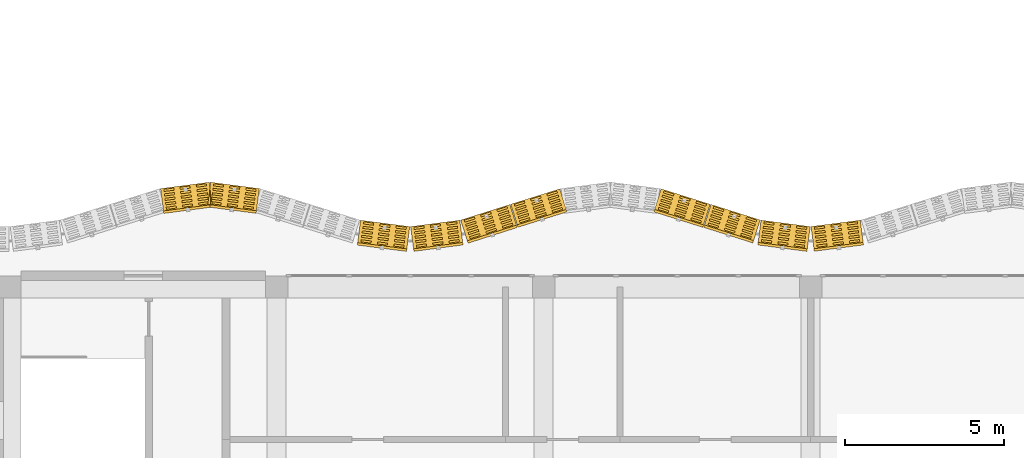
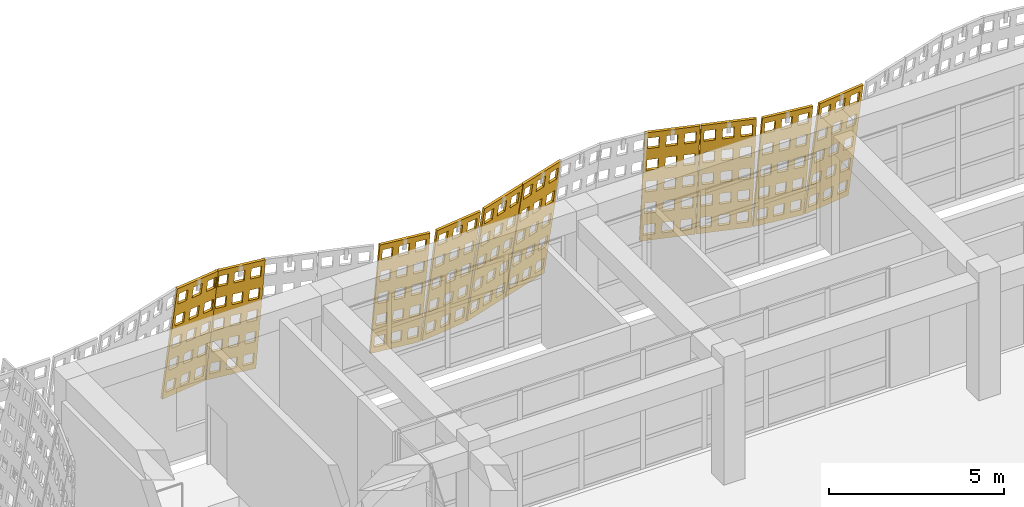
# One storey, part 81 of 85: 10 coverings.
"""IFC4 building model written with IfcOpenShell, lengths in metres."""

from ifc_helpers import new_model, si_unit, direction, frame, origin, place, context, subcontext, project, spatial, polyline, outline, extrude, material, layer, layer_set, type_object, element, save


model = new_model("IFC4")

# Units and contexts
model_context = context("Model", 3, precision=1e-05, world=origin(), true_north=direction((0.0, 1.0)))
body_context = subcontext(model_context, "Body", "Model", "MODEL_VIEW")
ifc_project = project(units=[si_unit("LENGTHUNIT", "METRE"), si_unit("AREAUNIT", "SQUARE_METRE"), si_unit("VOLUMEUNIT", "CUBIC_METRE"), si_unit("PLANEANGLEUNIT", "RADIAN"), si_unit("MASSUNIT", "GRAM", prefix="KILO")], contexts=[model_context])

# Site, building, storey
site_placement = place(None, origin())
site = spatial("IfcSite", under=ifc_project, at=site_placement, CompositionType="ELEMENT")
building_placement = place(site_placement, origin())
building = spatial("IfcBuilding", under=site, at=building_placement, Name="Rain Tree Exposition and Congress Centre", CompositionType="ELEMENT")
storey_placement = place(building_placement, frame((0.0, 0.0, 15.0)))
storey = spatial("IfcBuildingStorey", under=building, at=storey_placement, Name="L03", CompositionType="ELEMENT", Elevation=15.0)

# Coverings
ifc_material = material(Name="Perforated terracotta", Category="masonry")
ifc_layer = layer(ifc_material, 0.080078125)
ifc_layer_set = layer_set([ifc_layer], Name="Perforated terracotta")
covering_type = type_object("IfcCoveringType", Name="Terracotta screen 80", PredefinedType="CLADDING", material=ifc_layer_set)
covering_1_placement = place(storey_placement, frame((26.775390625, 52.503173828125, 0.01318359375), z_axis=(0.124968640969, -0.978413018317, -0.164592844203), x_axis=(0.991941518713, 0.126696580272, 0.0)))
element("IfcCovering", 1, at=covering_1_placement, inside=storey, type_object=covering_type, Name="wing/screen/L03/084", PredefinedType="CLADDING", context=body_context, shape_type="SweptSolid", body=[
    extrude(outline(polyline([(-1.5732421875, 0.0), (-1.5732421875, 4.295166015625), (-0.014892578125, 4.295166015625), (-0.014892578125, 0.0), (-1.5732421875, 0.0)]), holes=[polyline([(-0.11376953125, 0.2216796875), (-0.11376953125, 0.63720703125), (-0.435791015625, 0.63720703125), (-0.435791015625, 0.2216796875), (-0.11376953125, 0.2216796875)]), polyline([(-0.11376953125, 1.080810546875), (-0.11376953125, 1.496337890625), (-0.435791015625, 1.496337890625), (-0.435791015625, 1.080810546875), (-0.11376953125, 1.080810546875)]), polyline([(-0.11376953125, 1.939697265625), (-0.11376953125, 2.35546875), (-0.435791015625, 2.35546875), (-0.435791015625, 1.939697265625), (-0.11376953125, 1.939697265625)]), polyline([(-0.11376953125, 2.798583984375), (-0.11376953125, 3.21435546875), (-0.435791015625, 3.21435546875), (-0.435791015625, 2.798583984375), (-0.11376953125, 2.798583984375)]), polyline([(-0.11376953125, 3.65771484375), (-0.11376953125, 4.073486328125), (-0.435791015625, 4.073486328125), (-0.435791015625, 3.65771484375), (-0.11376953125, 3.65771484375)]), polyline([(-0.633056640625, 0.2216796875), (-0.633056640625, 0.63720703125), (-0.955078125, 0.63720703125), (-0.955078125, 0.2216796875), (-0.633056640625, 0.2216796875)]), polyline([(-0.633056640625, 1.080810546875), (-0.633056640625, 1.496337890625), (-0.955078125, 1.496337890625), (-0.955078125, 1.080810546875), (-0.633056640625, 1.080810546875)]), polyline([(-0.633056640625, 1.939697265625), (-0.633056640625, 2.35546875), (-0.955078125, 2.35546875), (-0.955078125, 1.939697265625), (-0.633056640625, 1.939697265625)]), polyline([(-0.633056640625, 2.798583984375), (-0.633056640625, 3.21435546875), (-0.955078125, 3.21435546875), (-0.955078125, 2.798583984375), (-0.633056640625, 2.798583984375)]), polyline([(-0.633056640625, 3.65771484375), (-0.633056640625, 4.073486328125), (-0.955078125, 4.073486328125), (-0.955078125, 3.65771484375), (-0.633056640625, 3.65771484375)]), polyline([(-1.152587890625, 0.2216796875), (-1.152587890625, 0.63720703125), (-1.474609375, 0.63720703125), (-1.474609375, 0.2216796875), (-1.152587890625, 0.2216796875)]), polyline([(-1.152587890625, 1.080810546875), (-1.152587890625, 1.496337890625), (-1.474609375, 1.496337890625), (-1.474609375, 1.080810546875), (-1.152587890625, 1.080810546875)]), polyline([(-1.152587890625, 1.939697265625), (-1.152587890625, 2.35546875), (-1.474609375, 2.35546875), (-1.474609375, 1.939697265625), (-1.152587890625, 1.939697265625)]), polyline([(-1.152587890625, 2.798583984375), (-1.152587890625, 3.21435546875), (-1.474609375, 3.21435546875), (-1.474609375, 2.798583984375), (-1.152587890625, 2.798583984375)]), polyline([(-1.152587890625, 3.65771484375), (-1.152587890625, 4.073486328125), (-1.474609375, 4.073486328125), (-1.474609375, 3.65771484375), (-1.152587890625, 3.65771484375)])]), origin(), (0.0, 0.0, 1.0), 0.080078125),
])
covering_2_placement = place(storey_placement, frame((25.19970703125, 52.298095703125, 0.01318359375), z_axis=(-0.128349774249, -0.9779030419, -0.165021138321), x_axis=(0.991496427865, -0.130133906157, 0.0)))
element("IfcCovering", 2, at=covering_2_placement, inside=storey, type_object=covering_type, Name="wing/screen/L03/085", PredefinedType="CLADDING", context=body_context, shape_type="SweptSolid", body=[
    extrude(outline(polyline([(-1.5732421875, 0.0), (-1.5732421875, 4.295166015625), (-0.014892578125, 4.295166015625), (-0.014892578125, 0.0), (-1.5732421875, 0.0)]), holes=[polyline([(-0.11376953125, 0.2216796875), (-0.11376953125, 0.63720703125), (-0.435791015625, 0.63720703125), (-0.435791015625, 0.2216796875), (-0.11376953125, 0.2216796875)]), polyline([(-0.11376953125, 1.080810546875), (-0.11376953125, 1.496337890625), (-0.435791015625, 1.496337890625), (-0.435791015625, 1.080810546875), (-0.11376953125, 1.080810546875)]), polyline([(-0.11376953125, 1.939697265625), (-0.11376953125, 2.35546875), (-0.435791015625, 2.35546875), (-0.435791015625, 1.939697265625), (-0.11376953125, 1.939697265625)]), polyline([(-0.11376953125, 2.798583984375), (-0.11376953125, 3.21435546875), (-0.435791015625, 3.21435546875), (-0.435791015625, 2.798583984375), (-0.11376953125, 2.798583984375)]), polyline([(-0.11376953125, 3.65771484375), (-0.11376953125, 4.073486328125), (-0.435791015625, 4.073486328125), (-0.435791015625, 3.65771484375), (-0.11376953125, 3.65771484375)]), polyline([(-0.633056640625, 0.2216796875), (-0.633056640625, 0.63720703125), (-0.955078125, 0.63720703125), (-0.955078125, 0.2216796875), (-0.633056640625, 0.2216796875)]), polyline([(-0.633056640625, 1.080810546875), (-0.633056640625, 1.496337890625), (-0.955078125, 1.496337890625), (-0.955078125, 1.080810546875), (-0.633056640625, 1.080810546875)]), polyline([(-0.633056640625, 1.939697265625), (-0.633056640625, 2.35546875), (-0.955078125, 2.35546875), (-0.955078125, 1.939697265625), (-0.633056640625, 1.939697265625)]), polyline([(-0.633056640625, 2.798583984375), (-0.633056640625, 3.21435546875), (-0.955078125, 3.21435546875), (-0.955078125, 2.798583984375), (-0.633056640625, 2.798583984375)]), polyline([(-0.633056640625, 3.65771484375), (-0.633056640625, 4.073486328125), (-0.955078125, 4.073486328125), (-0.955078125, 3.65771484375), (-0.633056640625, 3.65771484375)]), polyline([(-1.152587890625, 0.2216796875), (-1.152587890625, 0.63720703125), (-1.474609375, 0.63720703125), (-1.474609375, 0.2216796875), (-1.152587890625, 0.2216796875)]), polyline([(-1.152587890625, 1.080810546875), (-1.152587890625, 1.496337890625), (-1.474609375, 1.496337890625), (-1.474609375, 1.080810546875), (-1.152587890625, 1.080810546875)]), polyline([(-1.152587890625, 1.939697265625), (-1.152587890625, 2.35546875), (-1.474609375, 2.35546875), (-1.474609375, 1.939697265625), (-1.152587890625, 1.939697265625)]), polyline([(-1.152587890625, 2.798583984375), (-1.152587890625, 3.21435546875), (-1.474609375, 3.21435546875), (-1.474609375, 2.798583984375), (-1.152587890625, 2.798583984375)]), polyline([(-1.152587890625, 3.65771484375), (-1.152587890625, 4.073486328125), (-1.474609375, 4.073486328125), (-1.474609375, 3.65771484375), (-1.152587890625, 3.65771484375)])]), origin(), (0.0, 0.0, 1.0), 0.079833984375),
])
covering_3_placement = place(storey_placement, frame((23.62451171875, 52.50341796875, 0.0126953125), z_axis=(-0.298496232686, -0.941176896939, -0.158385756119), x_axis=(0.953208958144, -0.302312226207, 0.0)))
element("IfcCovering", 3, at=covering_3_placement, inside=storey, type_object=covering_type, Name="wing/screen/L03/086", PredefinedType="CLADDING", context=body_context, shape_type="SweptSolid", body=[
    extrude(outline(polyline([(-1.635986328125, 0.0), (-1.635986328125, 4.291259765625), (-0.014892578125, 4.291259765625), (-0.014892578125, 0.0), (-1.635986328125, 0.0)]), holes=[polyline([(-0.11767578125, 0.221435546875), (-0.11767578125, 0.63671875), (-0.45263671875, 0.63671875), (-0.45263671875, 0.221435546875), (-0.11767578125, 0.221435546875)]), polyline([(-0.11767578125, 1.07958984375), (-0.11767578125, 1.4951171875), (-0.45263671875, 1.4951171875), (-0.45263671875, 1.07958984375), (-0.11767578125, 1.07958984375)]), polyline([(-0.11767578125, 1.93798828125), (-0.11767578125, 2.353271484375), (-0.45263671875, 2.353271484375), (-0.45263671875, 1.93798828125), (-0.11767578125, 1.93798828125)]), polyline([(-0.11767578125, 2.796142578125), (-0.11767578125, 3.21142578125), (-0.45263671875, 3.21142578125), (-0.45263671875, 2.796142578125), (-0.11767578125, 2.796142578125)]), polyline([(-0.11767578125, 3.654541015625), (-0.11767578125, 4.06982421875), (-0.45263671875, 4.06982421875), (-0.45263671875, 3.654541015625), (-0.11767578125, 3.654541015625)]), polyline([(-0.657958984375, 0.221435546875), (-0.657958984375, 0.63671875), (-0.992919921875, 0.63671875), (-0.992919921875, 0.221435546875), (-0.657958984375, 0.221435546875)]), polyline([(-0.657958984375, 1.07958984375), (-0.657958984375, 1.4951171875), (-0.992919921875, 1.4951171875), (-0.992919921875, 1.07958984375), (-0.657958984375, 1.07958984375)]), polyline([(-0.657958984375, 1.93798828125), (-0.657958984375, 2.353271484375), (-0.992919921875, 2.353271484375), (-0.992919921875, 1.93798828125), (-0.657958984375, 1.93798828125)]), polyline([(-0.657958984375, 2.796142578125), (-0.657958984375, 3.21142578125), (-0.992919921875, 3.21142578125), (-0.992919921875, 2.796142578125), (-0.657958984375, 2.796142578125)]), polyline([(-0.657958984375, 3.654541015625), (-0.657958984375, 4.06982421875), (-0.992919921875, 4.06982421875), (-0.992919921875, 3.654541015625), (-0.657958984375, 3.654541015625)]), polyline([(-1.1982421875, 0.221435546875), (-1.1982421875, 0.63671875), (-1.533203125, 0.63671875), (-1.533203125, 0.221435546875), (-1.1982421875, 0.221435546875)]), polyline([(-1.1982421875, 1.07958984375), (-1.1982421875, 1.4951171875), (-1.533203125, 1.4951171875), (-1.533203125, 1.07958984375), (-1.1982421875, 1.07958984375)]), polyline([(-1.1982421875, 1.93798828125), (-1.1982421875, 2.353271484375), (-1.533203125, 2.353271484375), (-1.533203125, 1.93798828125), (-1.1982421875, 1.93798828125)]), polyline([(-1.1982421875, 2.796142578125), (-1.1982421875, 3.21142578125), (-1.533203125, 3.21142578125), (-1.533203125, 2.796142578125), (-1.1982421875, 2.796142578125)]), polyline([(-1.1982421875, 3.654541015625), (-1.1982421875, 4.06982421875), (-1.533203125, 4.06982421875), (-1.533203125, 3.654541015625), (-1.1982421875, 3.654541015625)])]), origin(), (0.0, 0.0, 1.0), 0.080078125),
])
covering_4_placement = place(storey_placement, frame((22.04931640625, 52.998291015625, 0.0126953125), z_axis=(-0.296569528658, -0.941684688936, -0.158985726703), x_axis=(0.953816392794, -0.300390227601, 0.0)))
element("IfcCovering", 4, at=covering_4_placement, inside=storey, type_object=covering_type, Name="wing/screen/L03/087", PredefinedType="CLADDING", context=body_context, shape_type="SweptSolid", body=[
    extrude(outline(polyline([(-1.62890625, 0.0), (-1.62890625, 4.291259765625), (-0.014892578125, 4.291259765625), (-0.014892578125, 0.0), (-1.62890625, 0.0)]), holes=[polyline([(-0.1171875, 0.221435546875), (-0.1171875, 0.63671875), (-0.45068359375, 0.63671875), (-0.45068359375, 0.221435546875), (-0.1171875, 0.221435546875)]), polyline([(-0.1171875, 1.07958984375), (-0.1171875, 1.4951171875), (-0.45068359375, 1.4951171875), (-0.45068359375, 1.07958984375), (-0.1171875, 1.07958984375)]), polyline([(-0.1171875, 1.93798828125), (-0.1171875, 2.353271484375), (-0.45068359375, 2.353271484375), (-0.45068359375, 1.93798828125), (-0.1171875, 1.93798828125)]), polyline([(-0.1171875, 2.796142578125), (-0.1171875, 3.21142578125), (-0.45068359375, 3.21142578125), (-0.45068359375, 2.796142578125), (-0.1171875, 2.796142578125)]), polyline([(-0.1171875, 3.654541015625), (-0.1171875, 4.06982421875), (-0.45068359375, 4.06982421875), (-0.45068359375, 3.654541015625), (-0.1171875, 3.654541015625)]), polyline([(-0.6552734375, 0.221435546875), (-0.6552734375, 0.63671875), (-0.98876953125, 0.63671875), (-0.98876953125, 0.221435546875), (-0.6552734375, 0.221435546875)]), polyline([(-0.6552734375, 1.07958984375), (-0.6552734375, 1.4951171875), (-0.98876953125, 1.4951171875), (-0.98876953125, 1.07958984375), (-0.6552734375, 1.07958984375)]), polyline([(-0.6552734375, 1.93798828125), (-0.6552734375, 2.353271484375), (-0.98876953125, 2.353271484375), (-0.98876953125, 1.93798828125), (-0.6552734375, 1.93798828125)]), polyline([(-0.6552734375, 2.796142578125), (-0.6552734375, 3.21142578125), (-0.98876953125, 3.21142578125), (-0.98876953125, 2.796142578125), (-0.6552734375, 2.796142578125)]), polyline([(-0.6552734375, 3.654541015625), (-0.6552734375, 4.06982421875), (-0.98876953125, 4.06982421875), (-0.98876953125, 3.654541015625), (-0.6552734375, 3.654541015625)]), polyline([(-1.193115234375, 0.221435546875), (-1.193115234375, 0.63671875), (-1.526611328125, 0.63671875), (-1.526611328125, 0.221435546875), (-1.193115234375, 0.221435546875)]), polyline([(-1.193115234375, 1.07958984375), (-1.193115234375, 1.4951171875), (-1.526611328125, 1.4951171875), (-1.526611328125, 1.07958984375), (-1.193115234375, 1.07958984375)]), polyline([(-1.193115234375, 1.93798828125), (-1.193115234375, 2.353271484375), (-1.526611328125, 2.353271484375), (-1.526611328125, 1.93798828125), (-1.193115234375, 1.93798828125)]), polyline([(-1.193115234375, 2.796142578125), (-1.193115234375, 3.21142578125), (-1.526611328125, 3.21142578125), (-1.526611328125, 2.796142578125), (-1.193115234375, 2.796142578125)]), polyline([(-1.193115234375, 3.654541015625), (-1.193115234375, 4.06982421875), (-1.526611328125, 4.06982421875), (-1.526611328125, 3.654541015625), (-1.193115234375, 3.654541015625)])]), origin(), (0.0, 0.0, 1.0), 0.079833984375),
])
covering_5_placement = place(storey_placement, frame((17.32568359375, 53.493408203125, 0.0126953125), z_axis=(0.295717964052, -0.942029390639, -0.158529217842), x_axis=(0.954094597562, 0.29950542383, 0.0)))
element("IfcCovering", 5, at=covering_5_placement, inside=storey, type_object=covering_type, Name="wing/screen/L03/090", PredefinedType="CLADDING", context=body_context, shape_type="SweptSolid", body=[
    extrude(outline(polyline([(-1.635986328125, 0.0), (-1.635986328125, 4.291259765625), (-0.02197265625, 4.291259765625), (-0.02197265625, 0.0), (-1.635986328125, 0.0)]), holes=[polyline([(-0.124267578125, 0.221435546875), (-0.124267578125, 0.63671875), (-0.457763671875, 0.63671875), (-0.457763671875, 0.221435546875), (-0.124267578125, 0.221435546875)]), polyline([(-0.124267578125, 1.07958984375), (-0.124267578125, 1.4951171875), (-0.457763671875, 1.4951171875), (-0.457763671875, 1.07958984375), (-0.124267578125, 1.07958984375)]), polyline([(-0.124267578125, 1.93798828125), (-0.124267578125, 2.353271484375), (-0.457763671875, 2.353271484375), (-0.457763671875, 1.93798828125), (-0.124267578125, 1.93798828125)]), polyline([(-0.124267578125, 2.796142578125), (-0.124267578125, 3.21142578125), (-0.457763671875, 3.21142578125), (-0.457763671875, 2.796142578125), (-0.124267578125, 2.796142578125)]), polyline([(-0.124267578125, 3.654541015625), (-0.124267578125, 4.06982421875), (-0.457763671875, 4.06982421875), (-0.457763671875, 3.654541015625), (-0.124267578125, 3.654541015625)]), polyline([(-0.662109375, 0.221435546875), (-0.662109375, 0.63671875), (-0.995849609375, 0.63671875), (-0.995849609375, 0.221435546875), (-0.662109375, 0.221435546875)]), polyline([(-0.662109375, 1.07958984375), (-0.662109375, 1.4951171875), (-0.995849609375, 1.4951171875), (-0.995849609375, 1.07958984375), (-0.662109375, 1.07958984375)]), polyline([(-0.662109375, 1.93798828125), (-0.662109375, 2.353271484375), (-0.995849609375, 2.353271484375), (-0.995849609375, 1.93798828125), (-0.662109375, 1.93798828125)]), polyline([(-0.662109375, 2.796142578125), (-0.662109375, 3.21142578125), (-0.995849609375, 3.21142578125), (-0.995849609375, 2.796142578125), (-0.662109375, 2.796142578125)]), polyline([(-0.662109375, 3.654541015625), (-0.662109375, 4.06982421875), (-0.995849609375, 4.06982421875), (-0.995849609375, 3.654541015625), (-0.662109375, 3.654541015625)]), polyline([(-1.2001953125, 0.221435546875), (-1.2001953125, 0.63671875), (-1.53369140625, 0.63671875), (-1.53369140625, 0.221435546875), (-1.2001953125, 0.221435546875)]), polyline([(-1.2001953125, 1.07958984375), (-1.2001953125, 1.4951171875), (-1.53369140625, 1.4951171875), (-1.53369140625, 1.07958984375), (-1.2001953125, 1.07958984375)]), polyline([(-1.2001953125, 1.93798828125), (-1.2001953125, 2.353271484375), (-1.53369140625, 2.353271484375), (-1.53369140625, 1.93798828125), (-1.2001953125, 1.93798828125)]), polyline([(-1.2001953125, 2.796142578125), (-1.2001953125, 3.21142578125), (-1.53369140625, 3.21142578125), (-1.53369140625, 2.796142578125), (-1.2001953125, 2.796142578125)]), polyline([(-1.2001953125, 3.654541015625), (-1.2001953125, 4.06982421875), (-1.53369140625, 4.06982421875), (-1.53369140625, 3.654541015625), (-1.2001953125, 3.654541015625)])]), origin(), (0.0, 0.0, 1.0), 0.080078125),
])
covering_6_placement = place(storey_placement, frame((15.75048828125, 52.998291015625, 0.0126953125), z_axis=(0.299354235996, -0.940827598844, -0.158841023181), x_axis=(0.952925780013, 0.303203657277, 0.0)))
element("IfcCovering", 6, at=covering_6_placement, inside=storey, type_object=covering_type, Name="wing/screen/L03/091", PredefinedType="CLADDING", context=body_context, shape_type="SweptSolid", body=[
    extrude(outline(polyline([(-1.635986328125, 0.0), (-1.635986328125, 4.291259765625), (-0.014892578125, 4.291259765625), (-0.014892578125, 0.0), (-1.635986328125, 0.0)]), holes=[polyline([(-0.11767578125, 0.221435546875), (-0.11767578125, 0.63671875), (-0.45263671875, 0.63671875), (-0.45263671875, 0.221435546875), (-0.11767578125, 0.221435546875)]), polyline([(-0.11767578125, 1.07958984375), (-0.11767578125, 1.4951171875), (-0.45263671875, 1.4951171875), (-0.45263671875, 1.07958984375), (-0.11767578125, 1.07958984375)]), polyline([(-0.11767578125, 1.93798828125), (-0.11767578125, 2.353271484375), (-0.45263671875, 2.353271484375), (-0.45263671875, 1.93798828125), (-0.11767578125, 1.93798828125)]), polyline([(-0.11767578125, 2.796142578125), (-0.11767578125, 3.21142578125), (-0.45263671875, 3.21142578125), (-0.45263671875, 2.796142578125), (-0.11767578125, 2.796142578125)]), polyline([(-0.11767578125, 3.654541015625), (-0.11767578125, 4.06982421875), (-0.45263671875, 4.06982421875), (-0.45263671875, 3.654541015625), (-0.11767578125, 3.654541015625)]), polyline([(-0.657958984375, 0.221435546875), (-0.657958984375, 0.63671875), (-0.992919921875, 0.63671875), (-0.992919921875, 0.221435546875), (-0.657958984375, 0.221435546875)]), polyline([(-0.657958984375, 1.07958984375), (-0.657958984375, 1.4951171875), (-0.992919921875, 1.4951171875), (-0.992919921875, 1.07958984375), (-0.657958984375, 1.07958984375)]), polyline([(-0.657958984375, 1.93798828125), (-0.657958984375, 2.353271484375), (-0.992919921875, 2.353271484375), (-0.992919921875, 1.93798828125), (-0.657958984375, 1.93798828125)]), polyline([(-0.657958984375, 2.796142578125), (-0.657958984375, 3.21142578125), (-0.992919921875, 3.21142578125), (-0.992919921875, 2.796142578125), (-0.657958984375, 2.796142578125)]), polyline([(-0.657958984375, 3.654541015625), (-0.657958984375, 4.06982421875), (-0.992919921875, 4.06982421875), (-0.992919921875, 3.654541015625), (-0.657958984375, 3.654541015625)]), polyline([(-1.1982421875, 0.221435546875), (-1.1982421875, 0.63671875), (-1.533203125, 0.63671875), (-1.533203125, 0.221435546875), (-1.1982421875, 0.221435546875)]), polyline([(-1.1982421875, 1.07958984375), (-1.1982421875, 1.4951171875), (-1.533203125, 1.4951171875), (-1.533203125, 1.07958984375), (-1.1982421875, 1.07958984375)]), polyline([(-1.1982421875, 1.93798828125), (-1.1982421875, 2.353271484375), (-1.533203125, 2.353271484375), (-1.533203125, 1.93798828125), (-1.1982421875, 1.93798828125)]), polyline([(-1.1982421875, 2.796142578125), (-1.1982421875, 3.21142578125), (-1.533203125, 3.21142578125), (-1.533203125, 2.796142578125), (-1.1982421875, 2.796142578125)]), polyline([(-1.1982421875, 3.654541015625), (-1.1982421875, 4.06982421875), (-1.533203125, 4.06982421875), (-1.533203125, 3.654541015625), (-1.1982421875, 3.654541015625)])]), origin(), (0.0, 0.0, 1.0), 0.079833984375),
])
covering_7_placement = place(storey_placement, frame((14.17529296875, 52.503173828125, 0.01318359375), z_axis=(0.127967328105, -0.978036007662, -0.16452942185), x_axis=(0.991548658387, 0.129735338481, 0.0)))
element("IfcCovering", 7, at=covering_7_placement, inside=storey, type_object=covering_type, Name="wing/screen/L03/092", PredefinedType="CLADDING", context=body_context, shape_type="SweptSolid", body=[
    extrude(outline(polyline([(-1.5732421875, 0.0), (-1.5732421875, 4.295166015625), (-0.014892578125, 4.295166015625), (-0.014892578125, 0.0), (-1.5732421875, 0.0)]), holes=[polyline([(-0.11376953125, 0.2216796875), (-0.11376953125, 0.63720703125), (-0.435791015625, 0.63720703125), (-0.435791015625, 0.2216796875), (-0.11376953125, 0.2216796875)]), polyline([(-0.11376953125, 1.080810546875), (-0.11376953125, 1.496337890625), (-0.435791015625, 1.496337890625), (-0.435791015625, 1.080810546875), (-0.11376953125, 1.080810546875)]), polyline([(-0.11376953125, 1.939697265625), (-0.11376953125, 2.35546875), (-0.435791015625, 2.35546875), (-0.435791015625, 1.939697265625), (-0.11376953125, 1.939697265625)]), polyline([(-0.11376953125, 2.798583984375), (-0.11376953125, 3.21435546875), (-0.435791015625, 3.21435546875), (-0.435791015625, 2.798583984375), (-0.11376953125, 2.798583984375)]), polyline([(-0.11376953125, 3.65771484375), (-0.11376953125, 4.073486328125), (-0.435791015625, 4.073486328125), (-0.435791015625, 3.65771484375), (-0.11376953125, 3.65771484375)]), polyline([(-0.633056640625, 0.2216796875), (-0.633056640625, 0.63720703125), (-0.955078125, 0.63720703125), (-0.955078125, 0.2216796875), (-0.633056640625, 0.2216796875)]), polyline([(-0.633056640625, 1.080810546875), (-0.633056640625, 1.496337890625), (-0.955078125, 1.496337890625), (-0.955078125, 1.080810546875), (-0.633056640625, 1.080810546875)]), polyline([(-0.633056640625, 1.939697265625), (-0.633056640625, 2.35546875), (-0.955078125, 2.35546875), (-0.955078125, 1.939697265625), (-0.633056640625, 1.939697265625)]), polyline([(-0.633056640625, 2.798583984375), (-0.633056640625, 3.21435546875), (-0.955078125, 3.21435546875), (-0.955078125, 2.798583984375), (-0.633056640625, 2.798583984375)]), polyline([(-0.633056640625, 3.65771484375), (-0.633056640625, 4.073486328125), (-0.955078125, 4.073486328125), (-0.955078125, 3.65771484375), (-0.633056640625, 3.65771484375)]), polyline([(-1.152587890625, 0.2216796875), (-1.152587890625, 0.63720703125), (-1.474609375, 0.63720703125), (-1.474609375, 0.2216796875), (-1.152587890625, 0.2216796875)]), polyline([(-1.152587890625, 1.080810546875), (-1.152587890625, 1.496337890625), (-1.474609375, 1.496337890625), (-1.474609375, 1.080810546875), (-1.152587890625, 1.080810546875)]), polyline([(-1.152587890625, 1.939697265625), (-1.152587890625, 2.35546875), (-1.474609375, 2.35546875), (-1.474609375, 1.939697265625), (-1.152587890625, 1.939697265625)]), polyline([(-1.152587890625, 2.798583984375), (-1.152587890625, 3.21435546875), (-1.474609375, 3.21435546875), (-1.474609375, 2.798583984375), (-1.152587890625, 2.798583984375)]), polyline([(-1.152587890625, 3.65771484375), (-1.152587890625, 4.073486328125), (-1.474609375, 4.073486328125), (-1.474609375, 3.65771484375), (-1.152587890625, 3.65771484375)])]), origin(), (0.0, 0.0, 1.0), 0.080078125),
])
covering_8_placement = place(storey_placement, frame((12.599609375, 52.298095703125, 0.01318359375), z_axis=(-0.125342414455, -0.978282259159, -0.165085131233), x_axis=(0.991891686382, -0.127086122318, 0.0)))
element("IfcCovering", 8, at=covering_8_placement, inside=storey, type_object=covering_type, Name="wing/screen/L03/093", PredefinedType="CLADDING", context=body_context, shape_type="SweptSolid", body=[
    extrude(outline(polyline([(-1.5732421875, 0.0), (-1.5732421875, 4.295166015625), (-0.014892578125, 4.295166015625), (-0.014892578125, 0.0), (-1.5732421875, 0.0)]), holes=[polyline([(-0.11376953125, 0.2216796875), (-0.11376953125, 0.63720703125), (-0.435791015625, 0.63720703125), (-0.435791015625, 0.2216796875), (-0.11376953125, 0.2216796875)]), polyline([(-0.11376953125, 1.080810546875), (-0.11376953125, 1.496337890625), (-0.435791015625, 1.496337890625), (-0.435791015625, 1.080810546875), (-0.11376953125, 1.080810546875)]), polyline([(-0.11376953125, 1.939697265625), (-0.11376953125, 2.35546875), (-0.435791015625, 2.35546875), (-0.435791015625, 1.939697265625), (-0.11376953125, 1.939697265625)]), polyline([(-0.11376953125, 2.798583984375), (-0.11376953125, 3.21435546875), (-0.435791015625, 3.21435546875), (-0.435791015625, 2.798583984375), (-0.11376953125, 2.798583984375)]), polyline([(-0.11376953125, 3.65771484375), (-0.11376953125, 4.073486328125), (-0.435791015625, 4.073486328125), (-0.435791015625, 3.65771484375), (-0.11376953125, 3.65771484375)]), polyline([(-0.633056640625, 0.2216796875), (-0.633056640625, 0.63720703125), (-0.955078125, 0.63720703125), (-0.955078125, 0.2216796875), (-0.633056640625, 0.2216796875)]), polyline([(-0.633056640625, 1.080810546875), (-0.633056640625, 1.496337890625), (-0.955078125, 1.496337890625), (-0.955078125, 1.080810546875), (-0.633056640625, 1.080810546875)]), polyline([(-0.633056640625, 1.939697265625), (-0.633056640625, 2.35546875), (-0.955078125, 2.35546875), (-0.955078125, 1.939697265625), (-0.633056640625, 1.939697265625)]), polyline([(-0.633056640625, 2.798583984375), (-0.633056640625, 3.21435546875), (-0.955078125, 3.21435546875), (-0.955078125, 2.798583984375), (-0.633056640625, 2.798583984375)]), polyline([(-0.633056640625, 3.65771484375), (-0.633056640625, 4.073486328125), (-0.955078125, 4.073486328125), (-0.955078125, 3.65771484375), (-0.633056640625, 3.65771484375)]), polyline([(-1.152587890625, 0.2216796875), (-1.152587890625, 0.63720703125), (-1.474609375, 0.63720703125), (-1.474609375, 0.2216796875), (-1.152587890625, 0.2216796875)]), polyline([(-1.152587890625, 1.080810546875), (-1.152587890625, 1.496337890625), (-1.474609375, 1.496337890625), (-1.474609375, 1.080810546875), (-1.152587890625, 1.080810546875)]), polyline([(-1.152587890625, 1.939697265625), (-1.152587890625, 2.35546875), (-1.474609375, 2.35546875), (-1.474609375, 1.939697265625), (-1.152587890625, 1.939697265625)]), polyline([(-1.152587890625, 2.798583984375), (-1.152587890625, 3.21435546875), (-1.474609375, 3.21435546875), (-1.474609375, 2.798583984375), (-1.152587890625, 2.798583984375)]), polyline([(-1.152587890625, 3.65771484375), (-1.152587890625, 4.073486328125), (-1.474609375, 4.073486328125), (-1.474609375, 3.65771484375), (-1.152587890625, 3.65771484375)])]), origin(), (0.0, 0.0, 1.0), 0.079833984375),
])
covering_9_placement = place(storey_placement, frame((7.874755859375, 53.4931640625, 0.01318359375), z_axis=(-0.127967328105, -0.978036007662, -0.16452942185), x_axis=(0.991548658387, -0.129735338481, 0.0)))
element("IfcCovering", 9, at=covering_9_placement, inside=storey, type_object=covering_type, Name="wing/screen/L03/096", PredefinedType="CLADDING", context=body_context, shape_type="SweptSolid", body=[
    extrude(outline(polyline([(-1.56298828125, 0.0), (-1.56298828125, 4.295166015625), (-0.02197265625, 4.295166015625), (-0.02197265625, 0.0), (-1.56298828125, 0.0)]), holes=[polyline([(-0.11962890625, 0.2216796875), (-0.11962890625, 0.63720703125), (-0.43798828125, 0.63720703125), (-0.43798828125, 0.2216796875), (-0.11962890625, 0.2216796875)]), polyline([(-0.11962890625, 1.080810546875), (-0.11962890625, 1.496337890625), (-0.43798828125, 1.496337890625), (-0.43798828125, 1.080810546875), (-0.11962890625, 1.080810546875)]), polyline([(-0.11962890625, 1.939697265625), (-0.11962890625, 2.35546875), (-0.43798828125, 2.35546875), (-0.43798828125, 1.939697265625), (-0.11962890625, 1.939697265625)]), polyline([(-0.11962890625, 2.798583984375), (-0.11962890625, 3.21435546875), (-0.43798828125, 3.21435546875), (-0.43798828125, 2.798583984375), (-0.11962890625, 2.798583984375)]), polyline([(-0.11962890625, 3.65771484375), (-0.11962890625, 4.073486328125), (-0.43798828125, 4.073486328125), (-0.43798828125, 3.65771484375), (-0.11962890625, 3.65771484375)]), polyline([(-0.63330078125, 0.2216796875), (-0.63330078125, 0.63720703125), (-0.95166015625, 0.63720703125), (-0.95166015625, 0.2216796875), (-0.63330078125, 0.2216796875)]), polyline([(-0.63330078125, 1.080810546875), (-0.63330078125, 1.496337890625), (-0.95166015625, 1.496337890625), (-0.95166015625, 1.080810546875), (-0.63330078125, 1.080810546875)]), polyline([(-0.63330078125, 1.939697265625), (-0.63330078125, 2.35546875), (-0.95166015625, 2.35546875), (-0.95166015625, 1.939697265625), (-0.63330078125, 1.939697265625)]), polyline([(-0.63330078125, 2.798583984375), (-0.63330078125, 3.21435546875), (-0.95166015625, 3.21435546875), (-0.95166015625, 2.798583984375), (-0.63330078125, 2.798583984375)]), polyline([(-0.63330078125, 3.65771484375), (-0.63330078125, 4.073486328125), (-0.95166015625, 4.073486328125), (-0.95166015625, 3.65771484375), (-0.63330078125, 3.65771484375)]), polyline([(-1.146728515625, 0.2216796875), (-1.146728515625, 0.63720703125), (-1.46533203125, 0.63720703125), (-1.46533203125, 0.2216796875), (-1.146728515625, 0.2216796875)]), polyline([(-1.146728515625, 1.080810546875), (-1.146728515625, 1.496337890625), (-1.46533203125, 1.496337890625), (-1.46533203125, 1.080810546875), (-1.146728515625, 1.080810546875)]), polyline([(-1.146728515625, 1.939697265625), (-1.146728515625, 2.35546875), (-1.46533203125, 2.35546875), (-1.46533203125, 1.939697265625), (-1.146728515625, 1.939697265625)]), polyline([(-1.146728515625, 2.798583984375), (-1.146728515625, 3.21435546875), (-1.46533203125, 3.21435546875), (-1.46533203125, 2.798583984375), (-1.146728515625, 2.798583984375)]), polyline([(-1.146728515625, 3.65771484375), (-1.146728515625, 4.073486328125), (-1.46533203125, 4.073486328125), (-1.46533203125, 3.65771484375), (-1.146728515625, 3.65771484375)])]), origin(), (0.0, 0.0, 1.0), 0.080078125),
])
covering_10_placement = place(storey_placement, frame((6.30029296875, 53.697998046875, 0.01318359375), z_axis=(0.128349774249, -0.9779030419, -0.165021138321), x_axis=(0.991496427865, 0.130133906157, 0.0)))
element("IfcCovering", 10, at=covering_10_placement, inside=storey, type_object=covering_type, Name="wing/screen/L03/097", PredefinedType="CLADDING", context=body_context, shape_type="SweptSolid", body=[
    extrude(outline(polyline([(-1.56640625, 0.0), (-1.56640625, 4.295166015625), (-0.025390625, 4.295166015625), (-0.025390625, 0.0), (-1.56640625, 0.0)]), holes=[polyline([(-0.123046875, 0.2216796875), (-0.123046875, 0.63720703125), (-0.44140625, 0.63720703125), (-0.44140625, 0.2216796875), (-0.123046875, 0.2216796875)]), polyline([(-0.123046875, 1.080810546875), (-0.123046875, 1.496337890625), (-0.44140625, 1.496337890625), (-0.44140625, 1.080810546875), (-0.123046875, 1.080810546875)]), polyline([(-0.123046875, 1.939697265625), (-0.123046875, 2.35546875), (-0.44140625, 2.35546875), (-0.44140625, 1.939697265625), (-0.123046875, 1.939697265625)]), polyline([(-0.123046875, 2.798583984375), (-0.123046875, 3.21435546875), (-0.44140625, 3.21435546875), (-0.44140625, 2.798583984375), (-0.123046875, 2.798583984375)]), polyline([(-0.123046875, 3.65771484375), (-0.123046875, 4.073486328125), (-0.44140625, 4.073486328125), (-0.44140625, 3.65771484375), (-0.123046875, 3.65771484375)]), polyline([(-0.63671875, 0.2216796875), (-0.63671875, 0.63720703125), (-0.955078125, 0.63720703125), (-0.955078125, 0.2216796875), (-0.63671875, 0.2216796875)]), polyline([(-0.63671875, 1.080810546875), (-0.63671875, 1.496337890625), (-0.955078125, 1.496337890625), (-0.955078125, 1.080810546875), (-0.63671875, 1.080810546875)]), polyline([(-0.63671875, 1.939697265625), (-0.63671875, 2.35546875), (-0.955078125, 2.35546875), (-0.955078125, 1.939697265625), (-0.63671875, 1.939697265625)]), polyline([(-0.63671875, 2.798583984375), (-0.63671875, 3.21435546875), (-0.955078125, 3.21435546875), (-0.955078125, 2.798583984375), (-0.63671875, 2.798583984375)]), polyline([(-0.63671875, 3.65771484375), (-0.63671875, 4.073486328125), (-0.955078125, 4.073486328125), (-0.955078125, 3.65771484375), (-0.63671875, 3.65771484375)]), polyline([(-1.150146484375, 0.2216796875), (-1.150146484375, 0.63720703125), (-1.46875, 0.63720703125), (-1.46875, 0.2216796875), (-1.150146484375, 0.2216796875)]), polyline([(-1.150146484375, 1.080810546875), (-1.150146484375, 1.496337890625), (-1.46875, 1.496337890625), (-1.46875, 1.080810546875), (-1.150146484375, 1.080810546875)]), polyline([(-1.150146484375, 1.939697265625), (-1.150146484375, 2.35546875), (-1.46875, 2.35546875), (-1.46875, 1.939697265625), (-1.150146484375, 1.939697265625)]), polyline([(-1.150146484375, 2.798583984375), (-1.150146484375, 3.21435546875), (-1.46875, 3.21435546875), (-1.46875, 2.798583984375), (-1.150146484375, 2.798583984375)]), polyline([(-1.150146484375, 3.65771484375), (-1.150146484375, 4.073486328125), (-1.46875, 4.073486328125), (-1.46875, 3.65771484375), (-1.150146484375, 3.65771484375)])]), origin(), (0.0, 0.0, 1.0), 0.079833984375),
])

save(model, "model.ifc")
